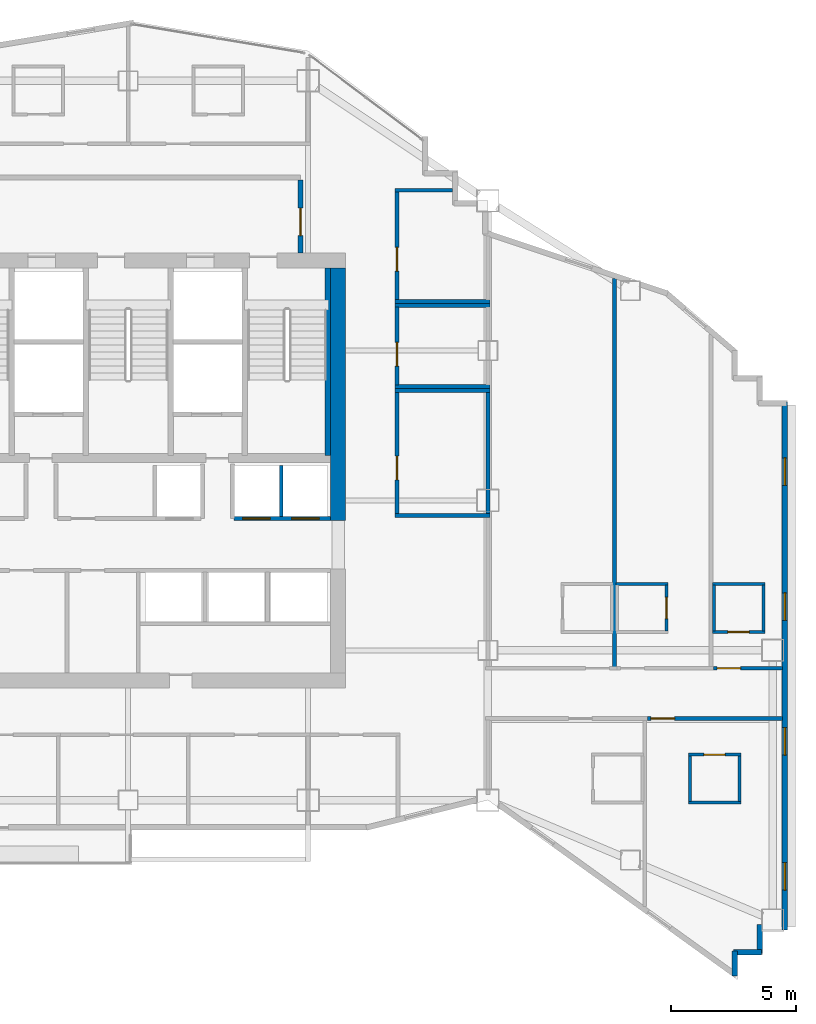
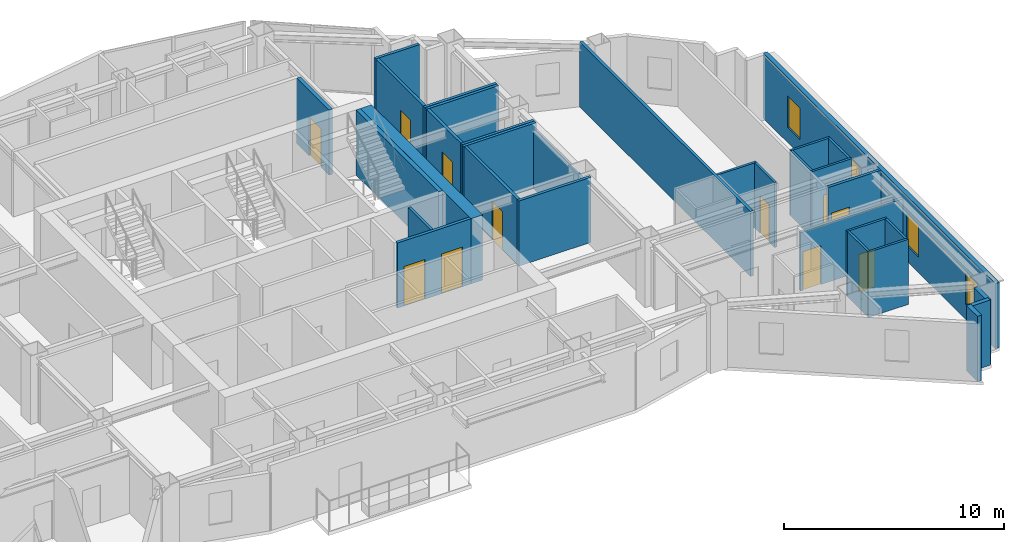
# One storey, part 8 of 13: 32 walls, 11 doors, 4 windows, 15 openings.
"""IFC4 building model written with IfcOpenShell, lengths in metres."""

from ifc_helpers import new_model, si_unit, direction, frame, frame_2d, origin, place, context, subcontext, project, spatial, rectangle, extrude, material, layer, layer_set, type_object, element, fill, save


model = new_model("IFC4")

# Units and contexts
model_context = context("Model", 3, precision=1e-05, world=origin(), true_north=direction((0.0, 1.0)))
body_context = subcontext(model_context, "Body", "Model", "MODEL_VIEW")
ifc_project = project(units=[si_unit("LENGTHUNIT", "METRE"), si_unit("AREAUNIT", "SQUARE_METRE"), si_unit("VOLUMEUNIT", "CUBIC_METRE"), si_unit("PLANEANGLEUNIT", "RADIAN"), si_unit("MASSUNIT", "GRAM", prefix="KILO")], contexts=[model_context])

# Site, building, storey
site_placement = place(None, origin())
site = spatial("IfcSite", under=ifc_project, at=site_placement, CompositionType="ELEMENT")
building_placement = place(site_placement, origin())
building = spatial("IfcBuilding", under=site, at=building_placement, Name="Haolan Belvedere Tower", CompositionType="ELEMENT")
storey_placement = place(building_placement, frame((0.0, 0.0, 219.199951171875)))
storey = spatial("IfcBuildingStorey", under=building, at=storey_placement, Name="L55", CompositionType="ELEMENT", Elevation=219.199951171875)

# Walls
ifc_material_1 = material(Name="Concrete C60/75", Category="concrete")
ifc_layer_1 = layer(ifc_material_1, 0.60009765625, Name="Concrete C60/75")
ifc_layer_set_1 = layer_set([ifc_layer_1], Name="Concrete C60/75")
wall_type_1 = type_object("IfcWallType", Name="WL-CORE-600", PredefinedType="SHEAR", material=ifc_layer_set_1)
wall_1_placement = place(storey_placement, frame((46.800048828125, 32.800048828125, 0.0), z_axis=(0.0, 0.0, 1.0), x_axis=(0.0, 1.0, 0.0)))
element("IfcWall", 1, at=wall_1_placement, inside=storey, type_object=wall_type_1, Name="L55 central core shear wall EN", PredefinedType="SHEAR", context=body_context, shape_type="SweptSolid", body=[
    extrude(rectangle(XDim=10.099853515625, YDim=0.60009765625, at=frame_2d((5.0498046875, 0.0))), origin(), (0.0, 0.0, 1.0), 3.6201171875),
])
ifc_material_2 = material(Name="Precast concrete C40/50", Category="concrete")
ifc_layer_2 = layer(ifc_material_2, 0.219970703125, Name="Precast concrete C40/50")
ifc_layer_set_2 = layer_set([ifc_layer_2], Name="Precast concrete C40/50")
wall_type_2 = type_object("IfcWallType", Name="WL-EXT-220", PredefinedType="SOLIDWALL", material=ifc_layer_set_2)
wall_2_placement = place(storey_placement, frame((62.68994140625, 14.559814453125, 0.0), z_axis=(0.0, 0.0, 1.0), x_axis=(0.0, 1.0, 0.0)))
element("IfcWall", 2, at=wall_2_placement, inside=storey, type_object=wall_type_2, Name="L55 pale-metal exterior spandrel wall 4.1", PredefinedType="SOLIDWALL", context=body_context, shape_type="SweptSolid", body=[
    extrude(rectangle(XDim=1.005126953125, YDim=0.219970703125, at=frame_2d((0.50244140625, 0.0))), origin(), (0.0, 0.0, 1.0), 3.6201171875),
])
wall_3_placement = place(storey_placement, frame((62.635009765625, 15.510009765625, 0.0), z_axis=(0.0, 0.0, 1.0), x_axis=(1.0, 0.0, 0.0)))
element("IfcWall", 3, at=wall_3_placement, inside=storey, type_object=wall_type_2, Name="L55 pale-metal exterior spandrel wall 5.1", PredefinedType="SOLIDWALL", context=body_context, shape_type="SweptSolid", body=[
    extrude(rectangle(XDim=1.110107421875, YDim=0.219970703125, at=frame_2d((0.55517578125, 0.0))), origin(), (0.0, 0.0, 1.0), 3.6201171875),
])
wall_4_placement = place(storey_placement, frame((63.68994140625, 15.455078125, 0.0), z_axis=(0.0, 0.0, 1.0), x_axis=(0.0, 1.0, 0.0)))
element("IfcWall", 4, at=wall_4_placement, inside=storey, type_object=wall_type_2, Name="L55 pale-metal exterior spandrel wall 6.1", PredefinedType="SOLIDWALL", context=body_context, shape_type="SweptSolid", body=[
    extrude(rectangle(XDim=1.1650390625, YDim=0.219970703125, at=frame_2d((0.58251953125, 0.0))), origin(), (0.0, 0.0, 1.0), 3.6201171875),
])

# Wall, openings, windows
wall_5_placement = place(storey_placement, frame((64.68994140625, 16.39990234375, 0.0), z_axis=(0.0, 0.0, 1.0), x_axis=(0.0, 1.0, 0.0)))
wall_5 = element("IfcWall", 5, at=wall_5_placement, inside=storey, type_object=wall_type_2, Name="L55 pale-metal exterior spandrel wall 8.1", PredefinedType="SOLIDWALL", context=body_context, shape_type="SweptSolid", body=[
    extrude(rectangle(XDim=21.14501953125, YDim=0.219970703125, at=frame_2d((10.572509765625, 0.0))), origin(), (0.0, 0.0, 1.0), 3.6201171875),
])
opening_1_placement = place(wall_5_placement, frame((1.60009765625, 0.0, 0.85009765625)))
opening_1 = element("IfcOpeningElement", 6, at=opening_1_placement, cuts=wall_5, Name="Opening W-03", PredefinedType="OPENING", context=body_context, shape_type="SweptSolid", body=[
    extrude(rectangle(XDim=1.10009765625, YDim=1.75, at=frame_2d((0.550048828125, 0.875))), frame((0.0, 0.119873046875, 0.0), z_axis=(0.0, -1.0, 0.0), x_axis=(1.0, 0.0, 0.0)), (0.0, 0.0, 1.0), 0.239990234375),
])
opening_2_placement = place(wall_5_placement, frame((7.0, 0.0, 0.85009765625)))
opening_2 = element("IfcOpeningElement", 7, at=opening_2_placement, cuts=wall_5, Name="Opening W-03", PredefinedType="OPENING", context=body_context, shape_type="SweptSolid", body=[
    extrude(rectangle(XDim=1.10009765625, YDim=1.75, at=frame_2d((0.550048828125, 0.875))), frame((0.0, 0.119873046875, 0.0), z_axis=(0.0, -1.0, 0.0), x_axis=(1.0, 0.0, 0.0)), (0.0, 0.0, 1.0), 0.239990234375),
])
opening_3_placement = place(wall_5_placement, frame((12.39990234375, 0.0, 0.85009765625)))
opening_3 = element("IfcOpeningElement", 8, at=opening_3_placement, cuts=wall_5, Name="Opening W-03", PredefinedType="OPENING", context=body_context, shape_type="SweptSolid", body=[
    extrude(rectangle(XDim=1.10009765625, YDim=1.75, at=frame_2d((0.550048828125, 0.875))), frame((0.0, 0.119873046875, 0.0), z_axis=(0.0, -1.0, 0.0), x_axis=(1.0, 0.0, 0.0)), (0.0, 0.0, 1.0), 0.239990234375),
])
opening_4_placement = place(wall_5_placement, frame((17.800048828125, 0.0, 0.85009765625)))
opening_4 = element("IfcOpeningElement", 9, at=opening_4_placement, cuts=wall_5, Name="Opening W-03", PredefinedType="OPENING", context=body_context, shape_type="SweptSolid", body=[
    extrude(rectangle(XDim=1.10009765625, YDim=1.75, at=frame_2d((0.550048828125, 0.875))), frame((0.0, 0.119873046875, 0.0), z_axis=(0.0, -1.0, 0.0), x_axis=(1.0, 0.0, 0.0)), (0.0, 0.0, 1.0), 0.239990234375),
])
ifc_material_3 = material(Name="Anodised aluminium 6063-T6 and Low-E glass", Category="aluminium")
window_type = type_object("IfcWindowType", Name="WN-DECO-Z3", PartitioningType="SINGLE_PANEL", PredefinedType="WINDOW", material=ifc_material_3)
window_1_placement = place(opening_1_placement, origin())
window_1 = element("IfcWindow", 10, at=window_1_placement, inside=storey, type_object=window_type, Name="L55 Art Deco chevron window 1", OverallHeight=1.75, OverallWidth=1.10009765625, PartitioningType="SINGLE_PANEL", PredefinedType="WINDOW", context=body_context, shape_type="SweptSolid", body=[
    extrude(rectangle(XDim=1.10009765625, YDim=1.75, at=frame_2d((0.550048828125, 0.875))), frame((0.0, 0.030029296875, 0.0), z_axis=(0.0, -1.0, 0.0), x_axis=(1.0, 0.0, 0.0)), (0.0, 0.0, 1.0), 0.06005859375),
])
fill(opening_1, window_1)
window_2_placement = place(opening_2_placement, origin())
window_2 = element("IfcWindow", 11, at=window_2_placement, inside=storey, type_object=window_type, Name="L55 Art Deco chevron window 2", OverallHeight=1.75, OverallWidth=1.10009765625, PartitioningType="SINGLE_PANEL", PredefinedType="WINDOW", context=body_context, shape_type="SweptSolid", body=[
    extrude(rectangle(XDim=1.10009765625, YDim=1.75, at=frame_2d((0.550048828125, 0.875))), frame((0.0, 0.030029296875, 0.0), z_axis=(0.0, -1.0, 0.0), x_axis=(1.0, 0.0, 0.0)), (0.0, 0.0, 1.0), 0.06005859375),
])
fill(opening_2, window_2)
window_3_placement = place(opening_3_placement, origin())
window_3 = element("IfcWindow", 12, at=window_3_placement, inside=storey, type_object=window_type, Name="L55 Art Deco chevron window 3", OverallHeight=1.75, OverallWidth=1.10009765625, PartitioningType="SINGLE_PANEL", PredefinedType="WINDOW", context=body_context, shape_type="SweptSolid", body=[
    extrude(rectangle(XDim=1.10009765625, YDim=1.75, at=frame_2d((0.550048828125, 0.875))), frame((0.0, 0.030029296875, 0.0), z_axis=(0.0, -1.0, 0.0), x_axis=(1.0, 0.0, 0.0)), (0.0, 0.0, 1.0), 0.06005859375),
])
fill(opening_3, window_3)
window_4_placement = place(opening_4_placement, origin())
window_4 = element("IfcWindow", 13, at=window_4_placement, inside=storey, type_object=window_type, Name="L55 Art Deco chevron window 4", OverallHeight=1.75, OverallWidth=1.10009765625, PartitioningType="SINGLE_PANEL", PredefinedType="WINDOW", context=body_context, shape_type="SweptSolid", body=[
    extrude(rectangle(XDim=1.10009765625, YDim=1.75, at=frame_2d((0.550048828125, 0.875))), frame((0.0, 0.030029296875, 0.0), z_axis=(0.0, -1.0, 0.0), x_axis=(1.0, 0.0, 0.0)), (0.0, 0.0, 1.0), 0.06005859375),
])
fill(opening_4, window_4)

# Wall, opening, door
ifc_material_4 = material(Name="Concrete C40/50", Category="concrete")
ifc_layer_3 = layer(ifc_material_4, 0.199951171875, Name="Concrete C40/50")
ifc_layer_set_3 = layer_set([ifc_layer_3], Name="Concrete C40/50")
wall_type_3 = type_object("IfcWallType", Name="WL-FIRE-200", PredefinedType="SOLIDWALL", material=ifc_layer_set_3)
wall_6_placement = place(storey_placement, frame((45.300048828125, 43.5, 0.0), z_axis=(0.0, 0.0, 1.0), x_axis=(0.0, 1.0, 0.0)))
wall_6 = element("IfcWall", 14, at=wall_6_placement, inside=storey, type_object=wall_type_3, Name="L55 interior partition IW-L55-FFL-E", PredefinedType="SOLIDWALL", context=body_context, shape_type="SweptSolid", body=[
    extrude(rectangle(XDim=2.93505859375, YDim=0.199951171875, at=frame_2d((1.467529296875, 0.0))), origin(), (0.0, 0.0, 1.0), 3.6201171875),
])
opening_5_placement = place(wall_6_placement, frame((0.699951171875, 0.0, 0.0)))
opening_5 = element("IfcOpeningElement", 15, at=opening_5_placement, cuts=wall_6, Name="Opening FD-03", PredefinedType="OPENING", context=body_context, shape_type="SweptSolid", body=[
    extrude(rectangle(XDim=1.10009765625, YDim=2.14990234375, at=frame_2d((0.550048828125, 1.074951171875))), frame((0.0, 0.10986328125, 0.0), z_axis=(0.0, -1.0, 0.0), x_axis=(1.0, 0.0, 0.0)), (0.0, 0.0, 1.0), 0.219970703125),
])
ifc_material_5 = material(Name="Galvanised fire-rated steel", Category="steel")
door_type_1 = type_object("IfcDoorType", Name="DR-FD90-1100", OperationType="NOTDEFINED", PredefinedType="DOOR", material=ifc_material_5)
door_1_placement = place(opening_5_placement, origin())
door_1 = element("IfcDoor", 16, at=door_1_placement, inside=storey, type_object=door_type_1, Name="L55 door ID-L55-FFL-DE", OperationType="SINGLE_SWING_RIGHT", OverallHeight=2.14990234375, OverallWidth=1.10009765625, PredefinedType="DOOR", context=body_context, shape_type="SweptSolid", body=[
    extrude(rectangle(XDim=1.10009765625, YDim=2.14990234375, at=frame_2d((0.550048828125, 1.074951171875))), frame((0.0, 0.02490234375, 0.0), z_axis=(0.0, -1.0, 0.0), x_axis=(1.0, 0.0, 0.0)), (0.0, 0.0, 1.0), 0.050048828125),
])
fill(opening_5, door_1)

# Walls
ifc_material_6 = material(Name="Double gypsum acoustic stud partition", Category="masonry")
ifc_layer_4 = layer(ifc_material_6, 0.14990234375, Name="Double gypsum acoustic stud partition")
ifc_layer_set_4 = layer_set([ifc_layer_4], Name="Double gypsum acoustic stud partition")
wall_type_4 = type_object("IfcWallType", Name="WL-PART-150", PredefinedType="PARTITIONING", material=ifc_layer_set_4)
for number, where, z_axis, x_axis, name in (
    (17, (49.080078125, 38.0, 0.0), (0.0, 0.0, 1.0), (1.0, 0.0, 0.0), "L55 interior partition IW-L55-BPN-N"),
    (18, (49.080078125, 33.0, 0.0), (0.0, 0.0, 1.0), (1.0, 0.0, 0.0), "L55 interior partition IW-L55-BPN-S"),
):
    element("IfcWall", number, at=place(storey_placement, frame(where, z_axis=z_axis, x_axis=x_axis)), inside=storey, type_object=wall_type_4, Name=name, PredefinedType="PARTITIONING", context=body_context, shape_type="SweptSolid", body=[
        extrude(rectangle(XDim=3.7998046875, YDim=0.14990234375, at=frame_2d((1.89990234375, 0.0))), origin(), (0.0, 0.0, 1.0), 3.6201171875),
    ])

# Wall, opening, door
wall_7_placement = place(storey_placement, frame((49.159912109375, 33.06005859375, 0.0), z_axis=(0.0, 0.0, 1.0), x_axis=(0.0, 1.0, 0.0)))
wall_7 = element("IfcWall", 19, at=wall_7_placement, inside=storey, type_object=wall_type_4, Name="L55 interior partition IW-L55-BPN-W", PredefinedType="PARTITIONING", context=body_context, shape_type="SweptSolid", body=[
    extrude(rectangle(XDim=4.8798828125, YDim=0.14990234375, at=frame_2d((2.43994140625, 0.0))), origin(), (0.0, 0.0, 1.0), 3.6201171875),
])
opening_6_placement = place(wall_7_placement, frame((1.360107421875, 0.0, 0.0)))
opening_6 = element("IfcOpeningElement", 20, at=opening_6_placement, cuts=wall_7, Name="Opening ID-03", PredefinedType="OPENING", context=body_context, shape_type="SweptSolid", body=[
    extrude(rectangle(XDim=0.949951171875, YDim=2.1201171875, at=frame_2d((0.47509765625, 1.06005859375))), frame((0.0, 0.0849609375, 0.0), z_axis=(0.0, -1.0, 0.0), x_axis=(1.0, 0.0, 0.0)), (0.0, 0.0, 1.0), 0.169921875),
])
ifc_material_7 = material(Name="Painted solid-core timber", Category="wood")
door_type_2 = type_object("IfcDoorType", Name="DR-INT-950", OperationType="NOTDEFINED", PredefinedType="DOOR", material=ifc_material_7)
door_2_placement = place(opening_6_placement, origin())
door_2 = element("IfcDoor", 21, at=door_2_placement, inside=storey, type_object=door_type_2, Name="L55 door ID-L55-BPN", OperationType="SINGLE_SWING_RIGHT", OverallHeight=2.1201171875, OverallWidth=0.949951171875, PredefinedType="DOOR", context=body_context, shape_type="SweptSolid", body=[
    extrude(rectangle(XDim=0.949951171875, YDim=2.1201171875, at=frame_2d((0.47509765625, 1.06005859375))), frame((0.0, 0.02490234375, 0.0), z_axis=(0.0, -1.0, 0.0), x_axis=(1.0, 0.0, 0.0)), (0.0, 0.0, 1.0), 0.050048828125),
])
fill(opening_6, door_2)

# Walls
wall_8_placement = place(storey_placement, frame((52.800048828125, 33.06005859375, 0.0), z_axis=(0.0, 0.0, 1.0), x_axis=(0.0, 1.0, 0.0)))
element("IfcWall", 22, at=wall_8_placement, inside=storey, type_object=wall_type_4, Name="L55 interior partition IW-L55-BPN-E", PredefinedType="PARTITIONING", context=body_context, shape_type="SweptSolid", body=[
    extrude(rectangle(XDim=4.8798828125, YDim=0.14990234375, at=frame_2d((2.43994140625, 0.0))), origin(), (0.0, 0.0, 1.0), 3.215087890625),
])
for number, where, z_axis, x_axis, name in (
    (23, (49.080078125, 41.39990234375, 0.0), (0.0, 0.0, 1.0), (1.0, 0.0, 0.0), "L55 interior partition IW-L55-AWC-N"),
    (24, (49.080078125, 38.159912109375, 0.0), (0.0, 0.0, 1.0), (1.0, 0.0, 0.0), "L55 interior partition IW-L55-AWC-S"),
):
    element("IfcWall", number, at=place(storey_placement, frame(where, z_axis=z_axis, x_axis=x_axis)), inside=storey, type_object=wall_type_4, Name=name, PredefinedType="PARTITIONING", context=body_context, shape_type="SweptSolid", body=[
        extrude(rectangle(XDim=3.7998046875, YDim=0.14990234375, at=frame_2d((1.89990234375, 0.0))), origin(), (0.0, 0.0, 1.0), 3.6201171875),
    ])

# Wall, opening, door
wall_9_placement = place(storey_placement, frame((49.159912109375, 38.219970703125, 0.0), z_axis=(0.0, 0.0, 1.0), x_axis=(0.0, 1.0, 0.0)))
wall_9 = element("IfcWall", 25, at=wall_9_placement, inside=storey, type_object=wall_type_4, Name="L55 interior partition IW-L55-AWC-W", PredefinedType="PARTITIONING", context=body_context, shape_type="SweptSolid", body=[
    extrude(rectangle(XDim=3.1201171875, YDim=0.14990234375, at=frame_2d((1.56005859375, 0.0))), origin(), (0.0, 0.0, 1.0), 3.6201171875),
])
opening_7_placement = place(wall_9_placement, frame((0.760009765625, 0.0, 0.0)))
opening_7 = element("IfcOpeningElement", 26, at=opening_7_placement, cuts=wall_9, Name="Opening ID-03", PredefinedType="OPENING", context=body_context, shape_type="SweptSolid", body=[
    extrude(rectangle(XDim=0.949951171875, YDim=2.1201171875, at=frame_2d((0.47509765625, 1.06005859375))), frame((0.0, 0.0849609375, 0.0), z_axis=(0.0, -1.0, 0.0), x_axis=(1.0, 0.0, 0.0)), (0.0, 0.0, 1.0), 0.169921875),
])
door_3_placement = place(opening_7_placement, origin())
door_3 = element("IfcDoor", 27, at=door_3_placement, inside=storey, type_object=door_type_2, Name="L55 door ID-L55-AWC", OperationType="SINGLE_SWING_LEFT", OverallHeight=2.1201171875, OverallWidth=0.949951171875, PredefinedType="DOOR", context=body_context, shape_type="SweptSolid", body=[
    extrude(rectangle(XDim=0.949951171875, YDim=2.1201171875, at=frame_2d((0.47509765625, 1.06005859375))), frame((0.0, 0.02490234375, 0.0), z_axis=(0.0, -1.0, 0.0), x_axis=(1.0, 0.0, 0.0)), (0.0, 0.0, 1.0), 0.050048828125),
])
fill(opening_7, door_3)

# Walls
wall_10_placement = place(storey_placement, frame((49.080078125, 46.02001953125, 0.0), z_axis=(0.0, 0.0, 1.0), x_axis=(1.0, 0.0, 0.0)))
element("IfcWall", 28, at=wall_10_placement, inside=storey, type_object=wall_type_4, Name="L55 interior partition IW-L55-CLN-N", PredefinedType="PARTITIONING", context=body_context, shape_type="SweptSolid", body=[
    extrude(rectangle(XDim=2.307861328125, YDim=0.14990234375, at=frame_2d((1.15380859375, 0.0))), origin(), (0.0, 0.0, 1.0), 3.6201171875),
])
wall_11_placement = place(storey_placement, frame((49.080078125, 41.56005859375, 0.0), z_axis=(0.0, 0.0, 1.0), x_axis=(1.0, 0.0, 0.0)))
element("IfcWall", 29, at=wall_11_placement, inside=storey, type_object=wall_type_4, Name="L55 interior partition IW-L55-CLN-S", PredefinedType="PARTITIONING", context=body_context, shape_type="SweptSolid", body=[
    extrude(rectangle(XDim=3.7998046875, YDim=0.14990234375, at=frame_2d((1.89990234375, 0.0))), origin(), (0.0, 0.0, 1.0), 3.6201171875),
])

# Wall, opening, door
wall_12_placement = place(storey_placement, frame((49.159912109375, 41.6201171875, 0.0), z_axis=(0.0, 0.0, 1.0), x_axis=(0.0, 1.0, 0.0)))
wall_12 = element("IfcWall", 30, at=wall_12_placement, inside=storey, type_object=wall_type_4, Name="L55 interior partition IW-L55-CLN-W", PredefinedType="PARTITIONING", context=body_context, shape_type="SweptSolid", body=[
    extrude(rectangle(XDim=4.33984375, YDim=0.14990234375, at=frame_2d((2.169921875, 0.0))), origin(), (0.0, 0.0, 1.0), 3.6201171875),
])
opening_8_placement = place(wall_12_placement, frame((1.159912109375, 0.0, 0.0)))
opening_8 = element("IfcOpeningElement", 31, at=opening_8_placement, cuts=wall_12, Name="Opening ID-03", PredefinedType="OPENING", context=body_context, shape_type="SweptSolid", body=[
    extrude(rectangle(XDim=0.949951171875, YDim=2.1201171875, at=frame_2d((0.47509765625, 1.06005859375))), frame((0.0, 0.0849609375, 0.0), z_axis=(0.0, -1.0, 0.0), x_axis=(1.0, 0.0, 0.0)), (0.0, 0.0, 1.0), 0.169921875),
])
door_4_placement = place(opening_8_placement, origin())
door_4 = element("IfcDoor", 32, at=door_4_placement, inside=storey, type_object=door_type_2, Name="L55 door ID-L55-CLN", OperationType="SINGLE_SWING_RIGHT", OverallHeight=2.1201171875, OverallWidth=0.949951171875, PredefinedType="DOOR", context=body_context, shape_type="SweptSolid", body=[
    extrude(rectangle(XDim=0.949951171875, YDim=2.1201171875, at=frame_2d((0.47509765625, 1.06005859375))), frame((0.0, 0.02490234375, 0.0), z_axis=(0.0, -1.0, 0.0), x_axis=(1.0, 0.0, 0.0)), (0.0, 0.0, 1.0), 0.050048828125),
])
fill(opening_8, door_4)

# Wall
wall_13_placement = place(storey_placement, frame((57.8701171875, 26.93994140625, 0.0), z_axis=(0.0, 0.0, 1.0), x_axis=(0.0, 1.0, 0.0)))
element("IfcWall", 33, at=wall_13_placement, inside=storey, type_object=wall_type_4, Name="L55 interior partition IW-L55-T4N1-E", PredefinedType="PARTITIONING", context=body_context, shape_type="SweptSolid", body=[
    extrude(rectangle(XDim=15.546630859375, YDim=0.14990234375, at=frame_2d((7.7734375, 0.0))), origin(), (0.0, 0.0, 1.0), 3.6201171875),
])

# Wall, opening, door
wall_14_placement = place(storey_placement, frame((61.83203125, 26.8798828125, 0.0), z_axis=(0.0, 0.0, 1.0), x_axis=(1.0, 0.0, 0.0)))
wall_14 = element("IfcWall", 34, at=wall_14_placement, inside=storey, type_object=wall_type_4, Name="L55 interior partition IW-L55-T4N3-S", PredefinedType="PARTITIONING", context=body_context, shape_type="SweptSolid", body=[
    extrude(rectangle(XDim=2.755859375, YDim=0.14990234375, at=frame_2d((1.3779296875, 0.0))), origin(), (0.0, 0.0, 1.0), 3.6201171875),
])
opening_9_placement = place(wall_14_placement, frame((0.139892578125, 0.0, 0.0)))
opening_9 = element("IfcOpeningElement", 35, at=opening_9_placement, cuts=wall_14, Name="Opening ID-02", PredefinedType="OPENING", context=body_context, shape_type="SweptSolid", body=[
    extrude(rectangle(XDim=0.949951171875, YDim=2.14990234375, at=frame_2d((0.47509765625, 1.074951171875))), frame((0.0, 0.0849609375, 0.0), z_axis=(0.0, -1.0, 0.0), x_axis=(1.0, 0.0, 0.0)), (0.0, 0.0, 1.0), 0.169921875),
])
ifc_material_8 = material(Name="Acoustic oak veneer fire-rated timber", Category="wood")
door_type_3 = type_object("IfcDoorType", Name="DR-GUEST-950", OperationType="NOTDEFINED", PredefinedType="DOOR", material=ifc_material_8)
door_5_placement = place(opening_9_placement, origin())
door_5 = element("IfcDoor", 36, at=door_5_placement, inside=storey, type_object=door_type_3, Name="L55 door ID-L55-T4N3-ENT", OperationType="SINGLE_SWING_RIGHT", OverallHeight=2.14990234375, OverallWidth=0.949951171875, PredefinedType="DOOR", context=body_context, shape_type="SweptSolid", body=[
    extrude(rectangle(XDim=0.949951171875, YDim=2.14990234375, at=frame_2d((0.47509765625, 1.074951171875))), frame((0.0, 0.02490234375, 0.0), z_axis=(0.0, -1.0, 0.0), x_axis=(1.0, 0.0, 0.0)), (0.0, 0.0, 1.0), 0.050048828125),
])
fill(opening_9, door_5)

wall_15_placement = place(storey_placement, frame((59.181884765625, 24.8701171875, 0.0), z_axis=(0.0, 0.0, 1.0), x_axis=(1.0, 0.0, 0.0)))
wall_15 = element("IfcWall", 37, at=wall_15_placement, inside=storey, type_object=wall_type_4, Name="L55 interior partition IW-L55-T4S2-N", PredefinedType="PARTITIONING", context=body_context, shape_type="SweptSolid", body=[
    extrude(rectangle(XDim=5.406005859375, YDim=0.14990234375, at=frame_2d((2.703125, 0.0))), origin(), (0.0, 0.0, 1.0), 3.255126953125),
])
opening_10_placement = place(wall_15_placement, frame((1.08984375, 0.0, 0.0), z_axis=(0.0, 0.0, 1.0), x_axis=(-1.0, 0.0, 0.0)))
opening_10 = element("IfcOpeningElement", 38, at=opening_10_placement, cuts=wall_15, Name="Opening ID-02", PredefinedType="OPENING", context=body_context, shape_type="SweptSolid", body=[
    extrude(rectangle(XDim=0.949951171875, YDim=2.14990234375, at=frame_2d((0.47509765625, 1.074951171875))), frame((0.0, 0.0849609375, 0.0), z_axis=(0.0, -1.0, 0.0), x_axis=(1.0, 0.0, 0.0)), (0.0, 0.0, 1.0), 0.169921875),
])
door_6_placement = place(opening_10_placement, origin())
door_6 = element("IfcDoor", 39, at=door_6_placement, inside=storey, type_object=door_type_3, Name="L55 door ID-L55-T4S2-ENT", OperationType="SINGLE_SWING_RIGHT", OverallHeight=2.14990234375, OverallWidth=0.949951171875, PredefinedType="DOOR", context=body_context, shape_type="SweptSolid", body=[
    extrude(rectangle(XDim=0.949951171875, YDim=2.14990234375, at=frame_2d((0.47509765625, 1.074951171875))), frame((0.0, 0.02490234375, 0.0), z_axis=(0.0, -1.0, 0.0), x_axis=(1.0, 0.0, 0.0)), (0.0, 0.0, 1.0), 0.050048828125),
])
fill(opening_10, door_6)

# Wall, openings, doors
ifc_material_9 = material(Name="Gypsum fire shaftwall assembly", Category="masonry")
ifc_layer_5 = layer(ifc_material_9, 0.1650390625, Name="Gypsum fire shaftwall assembly")
ifc_layer_set_5 = layer_set([ifc_layer_5], Name="Gypsum fire shaftwall assembly")
wall_type_5 = type_object("IfcWallType", Name="WL-SHAFT-160", PredefinedType="SOLIDWALL", material=ifc_layer_set_5)
wall_16_placement = place(storey_placement, frame((42.6298828125, 32.8798828125, 0.0), z_axis=(0.0, 0.0, 1.0), x_axis=(1.0, 0.0, 0.0)))
wall_16 = element("IfcWall", 40, at=wall_16_placement, inside=storey, type_object=wall_type_5, Name="L55 interior partition IW-L55-ROW-PN3", PredefinedType="SOLIDWALL", context=body_context, shape_type="SweptSolid", body=[
    extrude(rectangle(XDim=3.8701171875, YDim=0.159912109375, at=frame_2d((1.93505859375, 0.0))), origin(), (0.0, 0.0, 1.0), 3.6201171875),
])
opening_11_placement = place(wall_16_placement, frame((1.4501953125, 0.0, 0.0), z_axis=(0.0, 0.0, 1.0), x_axis=(-1.0, 0.0, 0.0)))
opening_11 = element("IfcOpeningElement", 41, at=opening_11_placement, cuts=wall_16, Name="Opening LD-01", PredefinedType="OPENING", context=body_context, shape_type="SweptSolid", body=[
    extrude(rectangle(XDim=1.10009765625, YDim=2.199951171875, at=frame_2d((0.550048828125, 1.10009765625))), frame((0.0, 0.08984375, 0.0), z_axis=(0.0, -1.0, 0.0), x_axis=(1.0, 0.0, 0.0)), (0.0, 0.0, 1.0), 0.179931640625),
])
opening_12_placement = place(wall_16_placement, frame((3.41015625, 0.0, 0.0), z_axis=(0.0, 0.0, 1.0), x_axis=(-1.0, 0.0, 0.0)))
opening_12 = element("IfcOpeningElement", 42, at=opening_12_placement, cuts=wall_16, Name="Opening LD-01", PredefinedType="OPENING", context=body_context, shape_type="SweptSolid", body=[
    extrude(rectangle(XDim=1.10009765625, YDim=2.199951171875, at=frame_2d((0.550048828125, 1.10009765625))), frame((0.0, 0.08984375, 0.0), z_axis=(0.0, -1.0, 0.0), x_axis=(1.0, 0.0, 0.0)), (0.0, 0.0, 1.0), 0.179931640625),
])
ifc_material_10 = material(Name="Brushed champagne stainless steel 316L", Category="steel")
door_type_4 = type_object("IfcDoorType", Name="DR-LIFT-1100", OperationType="SLIDING_TO_LEFT", PredefinedType="DOOR", material=ifc_material_10)
door_7_placement = place(opening_11_placement, origin())
door_7 = element("IfcDoor", 43, at=door_7_placement, inside=storey, type_object=door_type_4, Name="L55 door ID-L55-LD-PH2", OperationType="SLIDING_TO_RIGHT", OverallHeight=2.199951171875, OverallWidth=1.10009765625, PredefinedType="DOOR", context=body_context, shape_type="SweptSolid", body=[
    extrude(rectangle(XDim=1.10009765625, YDim=2.199951171875, at=frame_2d((0.550048828125, 1.10009765625))), frame((0.0, 0.02490234375, 0.0), z_axis=(0.0, -1.0, 0.0), x_axis=(1.0, 0.0, 0.0)), (0.0, 0.0, 1.0), 0.050048828125),
])
fill(opening_11, door_7)
door_8_placement = place(opening_12_placement, origin())
door_8 = element("IfcDoor", 44, at=door_8_placement, inside=storey, type_object=door_type_4, Name="L55 door ID-L55-LD-PH3", OperationType="SLIDING_TO_RIGHT", OverallHeight=2.199951171875, OverallWidth=1.10009765625, PredefinedType="DOOR", context=body_context, shape_type="SweptSolid", body=[
    extrude(rectangle(XDim=1.10009765625, YDim=2.199951171875, at=frame_2d((0.550048828125, 1.10009765625))), frame((0.0, 0.02490234375, 0.0), z_axis=(0.0, -1.0, 0.0), x_axis=(1.0, 0.0, 0.0)), (0.0, 0.0, 1.0), 0.050048828125),
])
fill(opening_12, door_8)

# Walls
wall_17_placement = place(storey_placement, frame((44.530029296875, 32.949951171875, 0.0), z_axis=(0.0, 0.0, 1.0), x_axis=(0.0, 1.0, 0.0)))
element("IfcWall", 45, at=wall_17_placement, inside=storey, type_object=wall_type_5, Name="L55 interior partition IW-L55-DIV-PH2", PredefinedType="SOLIDWALL", context=body_context, shape_type="SweptSolid", body=[
    extrude(rectangle(XDim=2.050048828125, YDim=0.14990234375, at=frame_2d((1.02490234375, 0.0))), origin(), (0.0, 0.0, 1.0), 3.6201171875),
])
ifc_material_11 = material(Name="Concrete C50/60", Category="concrete")
ifc_layer_6 = layer(ifc_material_11, 0.219970703125, Name="Concrete C50/60")
ifc_layer_set_6 = layer_set([ifc_layer_6], Name="Concrete C50/60")
wall_type_6 = type_object("IfcWallType", Name="WL-STAIR-220", PredefinedType="SHEAR", material=ifc_layer_set_6)
wall_18_placement = place(storey_placement, frame((46.387939453125, 35.389892578125, 0.0), z_axis=(0.0, 0.0, 1.0), x_axis=(0.0, 1.0, 0.0)))
element("IfcWall", 46, at=wall_18_placement, inside=storey, type_object=wall_type_6, Name="L55 structural stair core wall ST2E", PredefinedType="SHEAR", context=body_context, shape_type="SweptSolid", body=[
    extrude(rectangle(XDim=7.510009765625, YDim=0.219970703125, at=frame_2d((3.7548828125, 0.0))), origin(), (0.0, 0.0, 1.0), 3.6201171875),
])
ifc_material_12 = material(Name="Moisture-resistant gypsum tile partition", Category="masonry")
ifc_layer_7 = layer(ifc_material_12, 0.1201171875, Name="Moisture-resistant gypsum tile partition")
ifc_layer_set_7 = layer_set([ifc_layer_7], Name="Moisture-resistant gypsum tile partition")
wall_type_7 = type_object("IfcWallType", Name="WL-WET-120", PredefinedType="PARTITIONING", material=ifc_layer_set_7)
wall_19_placement = place(storey_placement, frame((57.929931640625, 30.25, 0.0), z_axis=(0.0, 0.0, 1.0), x_axis=(1.0, 0.0, 0.0)))
element("IfcWall", 47, at=wall_19_placement, inside=storey, type_object=wall_type_7, Name="L55 interior partition IW-L55-T4N2-BN", PredefinedType="PARTITIONING", context=body_context, shape_type="SweptSolid", body=[
    extrude(rectangle(XDim=2.080078125, YDim=0.1201171875, at=frame_2d((1.0400390625, 0.0))), origin(), (0.0, 0.0, 1.0), 3.6201171875),
])

# Wall, opening, door
wall_20_placement = place(storey_placement, frame((59.949951171875, 28.375, 0.0), z_axis=(0.0, 0.0, 1.0), x_axis=(0.0, 1.0, 0.0)))
wall_20 = element("IfcWall", 48, at=wall_20_placement, inside=storey, type_object=wall_type_7, Name="L55 interior partition IW-L55-T4N2-BE", PredefinedType="PARTITIONING", context=body_context, shape_type="SweptSolid", body=[
    extrude(rectangle(XDim=1.830078125, YDim=0.1201171875, at=frame_2d((0.9150390625, 0.0))), origin(), (0.0, 0.0, 1.0), 3.6201171875),
])
opening_13_placement = place(wall_20_placement, frame((0.489990234375, 0.0, 0.0)))
opening_13 = element("IfcOpeningElement", 49, at=opening_13_placement, cuts=wall_20, Name="Opening ID-05", PredefinedType="OPENING", context=body_context, shape_type="SweptSolid", body=[
    extrude(rectangle(XDim=0.85009765625, YDim=2.10009765625, at=frame_2d((0.425048828125, 1.050048828125))), frame((0.0, 0.070068359375, 0.0), z_axis=(0.0, -1.0, 0.0), x_axis=(1.0, 0.0, 0.0)), (0.0, 0.0, 1.0), 0.14013671875),
])
ifc_material_13 = material(Name="Moisture-resistant lacquered timber", Category="wood")
door_type_5 = type_object("IfcDoorType", Name="DR-BATH-850", OperationType="NOTDEFINED", PredefinedType="DOOR", material=ifc_material_13)
door_9_placement = place(opening_13_placement, origin())
door_9 = element("IfcDoor", 50, at=door_9_placement, inside=storey, type_object=door_type_5, Name="L55 door ID-L55-T4N2-BATH", OperationType="SINGLE_SWING_RIGHT", OverallHeight=2.10009765625, OverallWidth=0.85009765625, PredefinedType="DOOR", context=body_context, shape_type="SweptSolid", body=[
    extrude(rectangle(XDim=0.85009765625, YDim=2.10009765625, at=frame_2d((0.425048828125, 1.050048828125))), frame((0.0, 0.02490234375, 0.0), z_axis=(0.0, -1.0, 0.0), x_axis=(1.0, 0.0, 0.0)), (0.0, 0.0, 1.0), 0.050048828125),
])
fill(opening_13, door_9)

# Wall
wall_21_placement = place(storey_placement, frame((61.7900390625, 30.25, 0.0), z_axis=(0.0, 0.0, 1.0), x_axis=(1.0, 0.0, 0.0)))
element("IfcWall", 51, at=wall_21_placement, inside=storey, type_object=wall_type_7, Name="L55 interior partition IW-L55-T4N3-BN", PredefinedType="PARTITIONING", context=body_context, shape_type="SweptSolid", body=[
    extrude(rectangle(XDim=2.094970703125, YDim=0.1201171875, at=frame_2d((1.04736328125, 0.0))), origin(), (0.0, 0.0, 1.0), 3.6201171875),
])

# Wall, opening, door
wall_22_placement = place(storey_placement, frame((61.7900390625, 28.330078125, 0.0), z_axis=(0.0, 0.0, 1.0), x_axis=(1.0, 0.0, 0.0)))
wall_22 = element("IfcWall", 52, at=wall_22_placement, inside=storey, type_object=wall_type_7, Name="L55 interior partition IW-L55-T4N3-BS", PredefinedType="PARTITIONING", context=body_context, shape_type="SweptSolid", body=[
    extrude(rectangle(XDim=2.094970703125, YDim=0.1201171875, at=frame_2d((1.04736328125, 0.0))), origin(), (0.0, 0.0, 1.0), 3.6201171875),
])
opening_14_placement = place(wall_22_placement, frame((0.6201171875, 0.0, 0.0)))
opening_14 = element("IfcOpeningElement", 53, at=opening_14_placement, cuts=wall_22, Name="Opening ID-05", PredefinedType="OPENING", context=body_context, shape_type="SweptSolid", body=[
    extrude(rectangle(XDim=0.85009765625, YDim=2.10009765625, at=frame_2d((0.425048828125, 1.050048828125))), frame((0.0, 0.070068359375, 0.0), z_axis=(0.0, -1.0, 0.0), x_axis=(1.0, 0.0, 0.0)), (0.0, 0.0, 1.0), 0.14013671875),
])
door_10_placement = place(opening_14_placement, origin())
door_10 = element("IfcDoor", 54, at=door_10_placement, inside=storey, type_object=door_type_5, Name="L55 door ID-L55-T4N3-BATH", OperationType="SINGLE_SWING_LEFT", OverallHeight=2.10009765625, OverallWidth=0.85009765625, PredefinedType="DOOR", context=body_context, shape_type="SweptSolid", body=[
    extrude(rectangle(XDim=0.85009765625, YDim=2.10009765625, at=frame_2d((0.425048828125, 1.050048828125))), frame((0.0, 0.02490234375, 0.0), z_axis=(0.0, -1.0, 0.0), x_axis=(1.0, 0.0, 0.0)), (0.0, 0.0, 1.0), 0.050048828125),
])
fill(opening_14, door_10)

# Walls
for number, where, z_axis, x_axis, name in (
    (55, (61.844970703125, 28.375, 0.0), (0.0, 0.0, 1.0), (0.0, 1.0, 0.0), "L55 interior partition IW-L55-T4N3-BW"),
    (56, (63.824951171875, 28.375, 0.0), (0.0, 0.0, 1.0), (0.0, 1.0, 0.0), "L55 interior partition IW-L55-T4N3-BE"),
):
    element("IfcWall", number, at=place(storey_placement, frame(where, z_axis=z_axis, x_axis=x_axis)), inside=storey, type_object=wall_type_7, Name=name, PredefinedType="PARTITIONING", context=body_context, shape_type="SweptSolid", body=[
        extrude(rectangle(XDim=1.830078125, YDim=0.1201171875, at=frame_2d((0.9150390625, 0.0))), origin(), (0.0, 0.0, 1.0), 3.6201171875),
    ])

# Wall, opening, door
wall_23_placement = place(storey_placement, frame((60.824951171875, 23.419921875, 0.0), z_axis=(0.0, 0.0, 1.0), x_axis=(1.0, 0.0, 0.0)))
wall_23 = element("IfcWall", 57, at=wall_23_placement, inside=storey, type_object=wall_type_7, Name="L55 interior partition IW-L55-T4S2-BN", PredefinedType="PARTITIONING", context=body_context, shape_type="SweptSolid", body=[
    extrude(rectangle(XDim=2.10009765625, YDim=0.1201171875, at=frame_2d((1.050048828125, 0.0))), origin(), (0.0, 0.0, 1.0), 3.6201171875),
])
opening_15_placement = place(wall_23_placement, frame((1.47509765625, 0.0, 0.0), z_axis=(0.0, 0.0, 1.0), x_axis=(-1.0, 0.0, 0.0)))
opening_15 = element("IfcOpeningElement", 58, at=opening_15_placement, cuts=wall_23, Name="Opening ID-05", PredefinedType="OPENING", context=body_context, shape_type="SweptSolid", body=[
    extrude(rectangle(XDim=0.85009765625, YDim=2.10009765625, at=frame_2d((0.425048828125, 1.050048828125))), frame((0.0, 0.070068359375, 0.0), z_axis=(0.0, -1.0, 0.0), x_axis=(1.0, 0.0, 0.0)), (0.0, 0.0, 1.0), 0.14013671875),
])
door_11_placement = place(opening_15_placement, origin())
door_11 = element("IfcDoor", 59, at=door_11_placement, inside=storey, type_object=door_type_5, Name="L55 door ID-L55-T4S2-BATH", OperationType="SINGLE_SWING_LEFT", OverallHeight=2.10009765625, OverallWidth=0.85009765625, PredefinedType="DOOR", context=body_context, shape_type="SweptSolid", body=[
    extrude(rectangle(XDim=0.85009765625, YDim=2.10009765625, at=frame_2d((0.425048828125, 1.050048828125))), frame((0.0, 0.02490234375, 0.0), z_axis=(0.0, -1.0, 0.0), x_axis=(1.0, 0.0, 0.0)), (0.0, 0.0, 1.0), 0.050048828125),
])
fill(opening_15, door_11)

# Walls
wall_24_placement = place(storey_placement, frame((60.824951171875, 21.5, 0.0), z_axis=(0.0, 0.0, 1.0), x_axis=(1.0, 0.0, 0.0)))
element("IfcWall", 60, at=wall_24_placement, inside=storey, type_object=wall_type_7, Name="L55 interior partition IW-L55-T4S2-BS", PredefinedType="PARTITIONING", context=body_context, shape_type="SweptSolid", body=[
    extrude(rectangle(XDim=2.10009765625, YDim=0.1201171875, at=frame_2d((1.050048828125, 0.0))), origin(), (0.0, 0.0, 1.0), 3.6201171875),
])
for number, where, z_axis, x_axis, name in (
    (61, (60.885009765625, 21.544921875, 0.0), (0.0, 0.0, 1.0), (0.0, 1.0, 0.0), "L55 interior partition IW-L55-T4S2-BW"),
    (62, (62.864990234375, 21.544921875, 0.0), (0.0, 0.0, 1.0), (0.0, 1.0, 0.0), "L55 interior partition IW-L55-T4S2-BE"),
):
    element("IfcWall", number, at=place(storey_placement, frame(where, z_axis=z_axis, x_axis=x_axis)), inside=storey, type_object=wall_type_7, Name=name, PredefinedType="PARTITIONING", context=body_context, shape_type="SweptSolid", body=[
        extrude(rectangle(XDim=1.830078125, YDim=0.1201171875, at=frame_2d((0.9150390625, 0.0))), origin(), (0.0, 0.0, 1.0), 3.6201171875),
    ])

save(model, "model.ifc")
